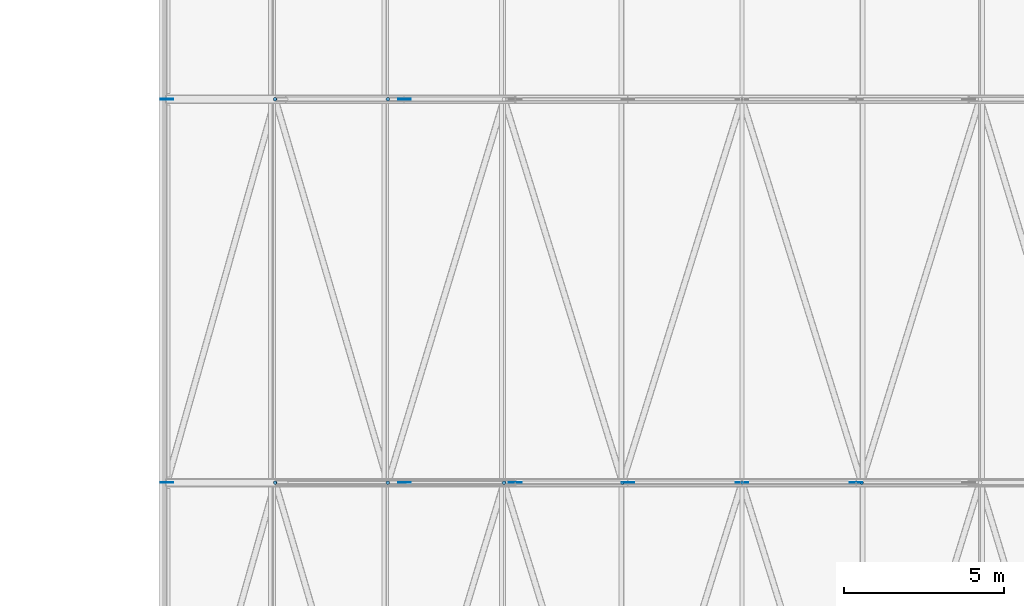
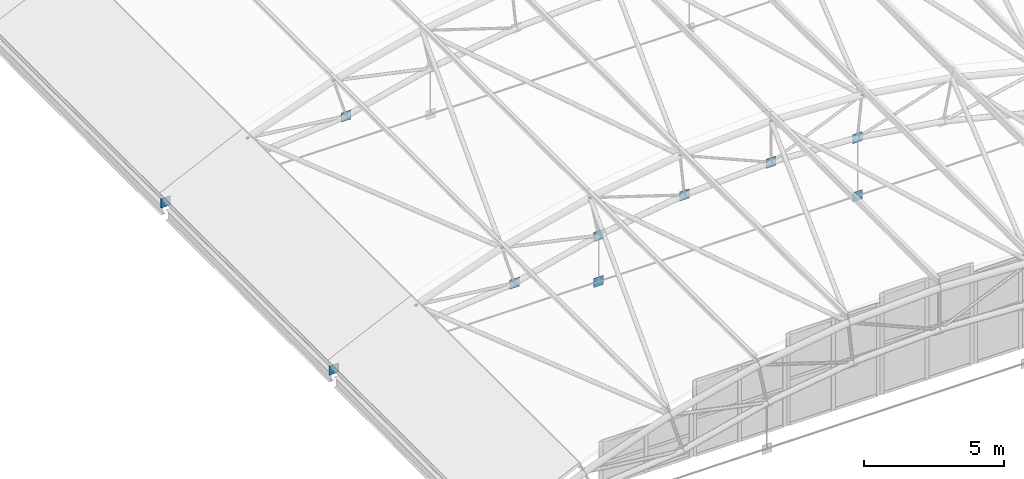
# One storey, part 304 of 321: 18 discrete accessories.
"""IFC4 building model written with IfcOpenShell, lengths in metres."""

from ifc_helpers import new_model, si_unit, direction, frame, origin, origin_2d, place, context, subcontext, project, spatial, rectangle, circle, extrude, material, material_profile, profile_set, type_object, element, save


model = new_model("IFC4")

# Units and contexts
model_context = context("Model", 3, precision=1e-05, world=origin(), true_north=direction((0.0, 1.0)))
body_context = subcontext(model_context, "Body", "Model", "MODEL_VIEW")
ifc_project = project(units=[si_unit("LENGTHUNIT", "METRE"), si_unit("AREAUNIT", "SQUARE_METRE"), si_unit("VOLUMEUNIT", "CUBIC_METRE"), si_unit("PLANEANGLEUNIT", "RADIAN"), si_unit("MASSUNIT", "GRAM", prefix="KILO")], contexts=[model_context])

# Site, building, storey
site_placement = place(None, origin())
site = spatial("IfcSite", under=ifc_project, at=site_placement, CompositionType="ELEMENT")
building_placement = place(site_placement, origin())
building = spatial("IfcBuilding", under=site, at=building_placement, Name="Ravi Spectrum Wholesale Market", CompositionType="ELEMENT")
storey_placement = place(building_placement, frame((0.0, 0.0, 10.800048828125)))
storey = spatial("IfcBuildingStorey", under=building, at=storey_placement, Name="L02", CompositionType="ELEMENT", Elevation=10.800048828125)

# Discrete accessories
ifc_material_1 = material(Name="Steel S355", Category="steel")
ifc_material_profile_1 = material_profile(ifc_material_1, circle(Radius=0.05712890625, at=origin_2d()))
ifc_profile_set_1 = profile_set([ifc_material_profile_1], Name="Steel S355")
discrete_accessory_type_1 = type_object("IfcDiscreteAccessoryType", Name="End plate CHS 114.3x4", PredefinedType="BRACKET", material=ifc_profile_set_1)
discrete_accessory_1_placement = place(storey_placement, frame((165.38818359375, 150.0, 1.59912109375), z_axis=(-0.371390676354, 0.0, 0.928476690885), x_axis=(0.0, -1.0, 0.0)))
element("IfcDiscreteAccessory", 1, at=discrete_accessory_1_placement, inside=storey, type_object=discrete_accessory_type_1, Name="End plate", PredefinedType="BRACKET", context=body_context, shape_type="SweptSolid", body=[
    extrude(circle(Radius=0.05712890625, at=origin_2d()), origin(), (0.0, 0.0, 1.0), 0.01171875),
])
for number, where, z_axis, x_axis, name in (
    (2, (168.916748046875, 150.0, 2.859130859375), (-0.2854765866, 0.0, 0.958385683586), (0.0, -1.0, 0.0), "End plate"),
    (3, (172.551513671875, 150.0, 3.767822265625), (-0.18428853505, 0.0, 0.982872186934), (0.0, -1.0, 0.0), "End plate"),
    (4, (176.2578125, 150.0, 4.31640625), (-0.101513688013, 0.0, 0.994834142531), (0.0, -1.0, 0.0), "End plate"),
    (5, (180.0, 150.0, 4.5), (0.0, 0.0, 1.0), (1.0, 0.0, 0.0), "End plate"),
    (6, (183.7421875, 150.0, 4.31640625), (0.101513688013, 0.0, 0.994834142531), (0.0, 1.0, 0.0), "End plate"),
):
    element("IfcDiscreteAccessory", number, at=place(storey_placement, frame(where, z_axis=z_axis, x_axis=x_axis)), inside=storey, type_object=discrete_accessory_type_1, Name=name, PredefinedType="BRACKET", context=body_context, shape_type="SweptSolid", body=[
        extrude(circle(Radius=0.05712890625, at=origin_2d()), origin(), (0.0, 0.0, 1.0), 0.011962890625),
    ])
discrete_accessory_2_placement = place(storey_placement, frame((165.38818359375, 162.0, 1.59912109375), z_axis=(-0.371390676354, 0.0, 0.928476690885), x_axis=(0.0, -1.0, 0.0)))
element("IfcDiscreteAccessory", 7, at=discrete_accessory_2_placement, inside=storey, type_object=discrete_accessory_type_1, Name="End plate", PredefinedType="BRACKET", context=body_context, shape_type="SweptSolid", body=[
    extrude(circle(Radius=0.05712890625, at=origin_2d()), origin(), (0.0, 0.0, 1.0), 0.01171875),
])
discrete_accessory_3_placement = place(storey_placement, frame((168.916748046875, 162.0, 2.859130859375), z_axis=(-0.2854765866, 0.0, 0.958385683586), x_axis=(0.0, -1.0, 0.0)))
element("IfcDiscreteAccessory", 8, at=discrete_accessory_3_placement, inside=storey, type_object=discrete_accessory_type_1, Name="End plate", PredefinedType="BRACKET", context=body_context, shape_type="SweptSolid", body=[
    extrude(circle(Radius=0.05712890625, at=origin_2d()), origin(), (0.0, 0.0, 1.0), 0.011962890625),
])
ifc_material_2 = material(Name="Steel S355", Category="steel")
ifc_material_profile_2 = material_profile(ifc_material_2, rectangle(XDim=0.39990234375, YDim=0.02001953125, at=origin_2d()))
ifc_profile_set_2 = profile_set([ifc_material_profile_2], Name="Steel S355")
discrete_accessory_type_2 = type_object("IfcDiscreteAccessoryType", Name="Gusset plate 400x400x20", PredefinedType="BRACKET", material=ifc_profile_set_2)
for number, where, z_axis, x_axis, name in (
    (9, (162.0, 150.0, -0.199951171875), (0.0, 0.0, 1.0), (1.0, 0.0, 0.0), "Gusset plate"),
    (10, (162.0, 162.0, -0.199951171875), (0.0, 0.0, 1.0), (1.0, 0.0, 0.0), "Gusset plate"),
    (11, (169.438232421875, 150.0, 0.936279296875), (0.0, 0.0, 1.0), (1.0, 0.0, 0.0), "Gusset plate"),
    (12, (169.438232421875, 162.0, 0.936279296875), (0.0, 0.0, 1.0), (1.0, 0.0, 0.0), "Gusset plate"),
    (13, (172.902099609375, 150.0, -0.199951171875), (0.0, 0.0, 1.0), (1.0, 0.0, 0.0), "Gusset plate"),
    (14, (172.902099609375, 150.0, 1.80224609375), (0.0, 0.0, 1.0), (1.0, 0.0, 0.0), "Gusset plate"),
    (15, (176.433837890625, 150.0, 2.3251953125), (0.0, 0.0, 1.0), (1.0, 0.0, 0.0), "Gusset plate"),
    (16, (180.0, 150.0, 2.5), (0.0, 0.0, 1.0), (1.0, 0.0, 0.0), "Gusset plate"),
    (17, (183.566162109375, 150.0, -0.199951171875), (0.0, 0.0, 1.0), (1.0, 0.0, 0.0), "Gusset plate"),
    (18, (183.566162109375, 150.0, 2.3251953125), (0.0, 0.0, 1.0), (-1.0, 0.0, 0.0), "Gusset plate"),
):
    element("IfcDiscreteAccessory", number, at=place(storey_placement, frame(where, z_axis=z_axis, x_axis=x_axis)), inside=storey, type_object=discrete_accessory_type_2, Name=name, PredefinedType="BRACKET", context=body_context, shape_type="SweptSolid", body=[
        extrude(rectangle(XDim=0.39990234375, YDim=0.02001953125, at=origin_2d()), origin(), (0.0, 0.0, 1.0), 0.39990234375),
    ])

save(model, "model.ifc")
